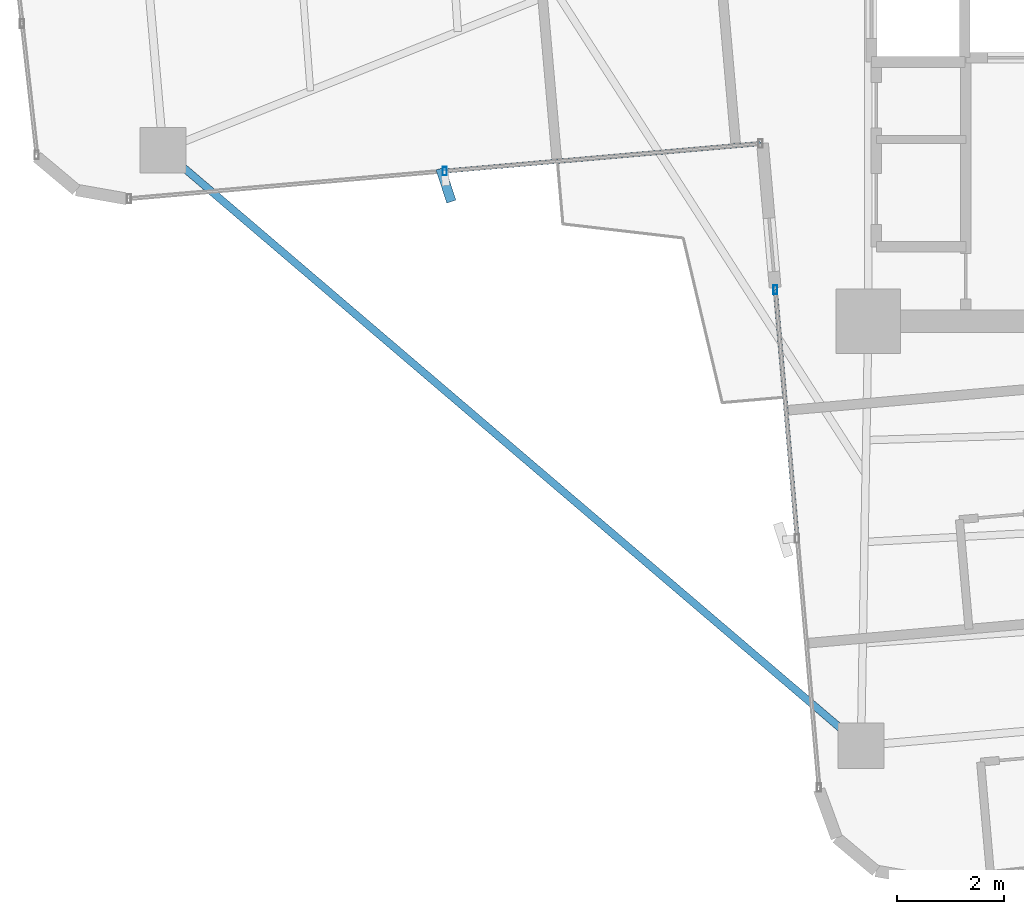
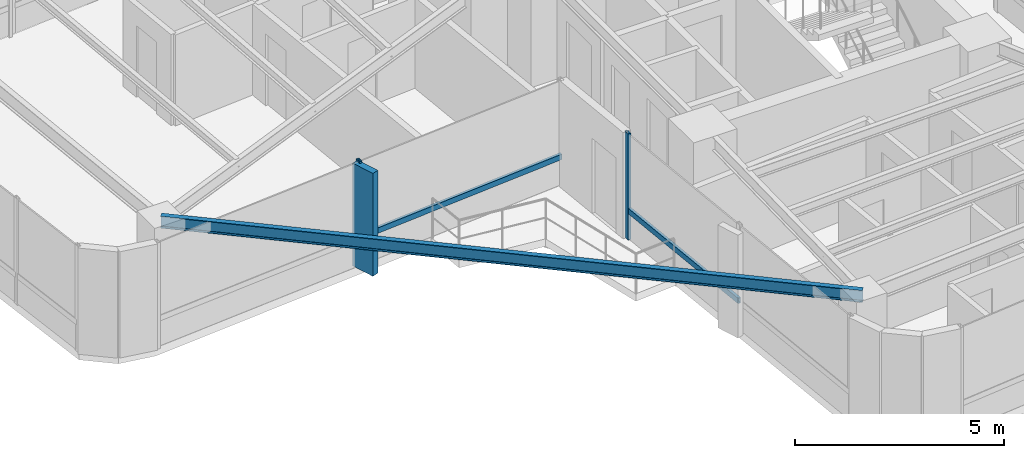
# One storey, part 4 of 24: 5 members, 1 beam, 2 elements without a shape of their own.
"""IFC4 building model written with IfcOpenShell, lengths in metres."""

from ifc_helpers import new_model, si_unit, direction, frame, origin, origin_2d, place, context, subcontext, project, spatial, rectangle, hollow_rectangle, i_section, extrude, source, transform, mapped, material, material_profile, profile_set, type_object, element, aggregate, save


model = new_model("IFC4")

# Units and contexts
model_context = context("Model", 3, precision=1e-05, world=origin(), true_north=direction((0.0, 1.0)))
body_context = subcontext(model_context, "Body", "Model", "MODEL_VIEW")
ifc_project = project(units=[si_unit("LENGTHUNIT", "METRE"), si_unit("AREAUNIT", "SQUARE_METRE"), si_unit("VOLUMEUNIT", "CUBIC_METRE"), si_unit("PLANEANGLEUNIT", "RADIAN"), si_unit("MASSUNIT", "GRAM", prefix="KILO")], contexts=[model_context])

# Site, building, storey
site_placement = place(None, origin())
site = spatial("IfcSite", under=ifc_project, at=site_placement, CompositionType="ELEMENT")
building_placement = place(site_placement, origin())
building = spatial("IfcBuilding", under=site, at=building_placement, Name="Sahyath Konkavel Grand Hotel", CompositionType="ELEMENT")
storey_placement = place(building_placement, frame((0.0, 0.0, 181.89990234375)))
storey = spatial("IfcBuildingStorey", under=building, at=storey_placement, Name="L50", CompositionType="ELEMENT", Elevation=181.89990234375)

# Beam
ifc_material_1 = material(Name="Steel E350", Category="steel")
ifc_material_profile_1 = material_profile(ifc_material_1, i_section(OverallWidth=0.139892578125, OverallDepth=0.35009765625, WebThickness=0.008056640625, FlangeThickness=0.01416015625, FilletRadius=0.013916015625, at=origin_2d()), Name="ISMB 350")
ifc_profile_set_1 = profile_set([ifc_material_profile_1], Name="Steel E350")
beam_type = type_object("IfcBeamType", Name="BM-ISMB350", PredefinedType="BEAM", material=ifc_profile_set_1)
shared_shape_1 = source(origin(), body_context, "Body", "SweptSolid", [
    extrude(i_section(OverallWidth=0.139892578125, OverallDepth=0.35009765625, WebThickness=0.008056640625, FlangeThickness=0.01416015625, FilletRadius=0.013916015625, at=origin_2d()), origin(), (0.0, 0.0, 1.0), 17.11279296875),
])
beam_placement = place(storey_placement, frame((-16.9541015625, -7.00439453125, 2.93505859375), z_axis=(0.760711911164, -0.649089661151, 0.0), x_axis=(0.649089661151, 0.760711911164, 0.0)))
element("IfcBeam", 1, at=beam_placement, inside=storey, type_object=beam_type, Name="L50 Re-Entrant Tie Beam SW", PredefinedType="BEAM", context=body_context, shape_type="MappedRepresentation", body=[
    mapped(shared_shape_1, transform((0.0, 0.0, 0.0), scale=1.0)),
])

# Curtain wall, members
ifc_material_2 = material(Name="Anodised Bronze Aluminium & Low-E Glazing", Category="aluminium")
curtain_wall_type = type_object("IfcCurtainWallType", Name="CW-ZONE3", PredefinedType="NOTDEFINED", material=ifc_material_2)
curtain_wall_1_placement = place(storey_placement, origin())
curtain_wall_1 = element("IfcCurtainWall", 2, at=curtain_wall_1_placement, inside=storey, type_object=curtain_wall_type, Name="L50 Unitised Curtain Wall F23", PredefinedType="NOTDEFINED")
ifc_material_3 = material(Name="Warm Buff Sandstone Cladding on Concrete C50/60", Category="masonry")
ifc_material_profile_2 = material_profile(ifc_material_3, rectangle(XDim=0.179931640625, YDim=0.64990234375, at=origin_2d()), Name="FIN 180x650")
ifc_profile_set_2 = profile_set([ifc_material_profile_2], Name="Warm Buff Sandstone Cladding on Concrete C50/60")
member_type_1 = type_object("IfcMemberType", Name="FIN-SANDSTONE-650", PredefinedType="MULLION", material=ifc_profile_set_2)
shared_shape_2 = source(origin(), body_context, "Body", "SweptSolid", [
    extrude(rectangle(XDim=0.179931640625, YDim=0.64990234375, at=origin_2d()), origin(), (0.0, 0.0, 1.0), 3.010009765625),
])
member_1_placement = place(storey_placement, frame((-11.677001953125, -7.656982421875, 0.050048828125), z_axis=(0.0, 0.0, 1.0), x_axis=(0.951379596601, 0.308020881065, 0.0)))
member_1 = element("IfcMember", 3, at=member_1_placement, type_object=member_type_1, Name="L50 Sandstone Vertical Solar Fin FIN F23-1", PredefinedType="MULLION", context=body_context, shape_type="MappedRepresentation", body=[
    mapped(shared_shape_2, transform((0.0, 0.0, 0.0), scale=1.0)),
])
ifc_material_4 = material(Name="Anodised Bronze Aluminium", Category="aluminium")
ifc_material_profile_3 = material_profile(ifc_material_4, hollow_rectangle(XDim=0.080078125, YDim=0.159912109375, WallThickness=0.006103515625, at=origin_2d()), Name="RHS 160x80x6")
ifc_profile_set_3 = profile_set([ifc_material_profile_3], Name="Anodised Bronze Aluminium")
member_type_2 = type_object("IfcMemberType", Name="CW-MUL-160", PredefinedType="MULLION", material=ifc_profile_set_3)
shared_shape_3 = source(origin(), body_context, "Body", "SweptSolid", [
    extrude(hollow_rectangle(XDim=0.080078125, YDim=0.159912109375, WallThickness=0.006103515625, at=origin_2d()), origin(), (0.0, 0.0, 1.0), 3.110107421875),
])
member_2_placement = place(storey_placement, frame((-11.69970703125, -7.39794921875, 0.0), z_axis=(0.0, 0.0, 1.0), x_axis=(1.0, 0.0, 0.0)))
member_2 = element("IfcMember", 4, at=member_2_placement, type_object=member_type_2, Name="L50 Curtain Wall Mullion F23-1", PredefinedType="MULLION", context=body_context, shape_type="MappedRepresentation", body=[
    mapped(shared_shape_3, transform((0.0, 0.0, 0.0), scale=1.0)),
])

# Curtain wall, member
curtain_wall_2_placement = place(storey_placement, origin())
curtain_wall_2 = element("IfcCurtainWall", 5, at=curtain_wall_2_placement, inside=storey, type_object=curtain_wall_type, Name="L50 Unitised Curtain Wall F24", PredefinedType="NOTDEFINED")
member_3_placement = place(storey_placement, frame((-5.53369140625, -9.60888671875, 0.0), z_axis=(0.0, 0.0, 1.0), x_axis=(1.0, 0.0, 0.0)))
member_3 = element("IfcMember", 6, at=member_3_placement, type_object=member_type_2, Name="L50 Curtain Wall Mullion F24-0", PredefinedType="MULLION", context=body_context, shape_type="MappedRepresentation", body=[
    mapped(shared_shape_3, transform((0.0, 0.0, 0.0), scale=1.0)),
])

# Member
ifc_material_profile_4 = material_profile(ifc_material_4, hollow_rectangle(XDim=0.080078125, YDim=0.159912109375, WallThickness=0.006103515625, at=origin_2d()), Name="RHS 160x80x6")
ifc_profile_set_4 = profile_set([ifc_material_profile_4], Name="Anodised Bronze Aluminium")
member_type_3 = type_object("IfcMemberType", Name="CW-TRN-160", PredefinedType="USERDEFINED", material=ifc_profile_set_4)
shared_shape_4 = source(origin(), body_context, "Body", "SweptSolid", [
    extrude(hollow_rectangle(XDim=0.080078125, YDim=0.159912109375, WallThickness=0.006103515625, at=origin_2d()), origin(), (0.0, 0.0, 1.0), 5.909912109375),
])
member_4_placement = place(storey_placement, frame((-11.69970703125, -7.39794921875, 0.85009765625), z_axis=(0.996193941691, 0.087164388014, 0.0), x_axis=(-0.087164388014, 0.996193941691, 0.0)))
member_4 = element("IfcMember", 7, at=member_4_placement, type_object=member_type_3, Name="L50 Curtain Wall Transom F23-1-spandrel", ObjectType="TRANSOM", PredefinedType="USERDEFINED", context=body_context, shape_type="MappedRepresentation", body=[
    mapped(shared_shape_4, transform((0.0, 0.0, 0.0), scale=1.0)),
])

aggregate(curtain_wall_1, [member_2, member_1, member_4])

shared_shape_5 = source(origin(), body_context, "Body", "SweptSolid", [
    extrude(hollow_rectangle(XDim=0.080078125, YDim=0.159912109375, WallThickness=0.006103515625, at=origin_2d()), origin(), (0.0, 0.0, 1.0), 4.66015625),
])
member_5_placement = place(storey_placement, frame((-5.53369140625, -9.60888671875, 0.85009765625), z_axis=(0.087176698736, -0.996192864458, 0.0), x_axis=(0.996192864458, 0.087176698736, 0.0)))
member_5 = element("IfcMember", 8, at=member_5_placement, type_object=member_type_3, Name="L50 Curtain Wall Transom F24-0-spandrel", ObjectType="TRANSOM", PredefinedType="USERDEFINED", context=body_context, shape_type="MappedRepresentation", body=[
    mapped(shared_shape_5, transform((0.0, 0.0, 0.0), scale=1.0)),
])

aggregate(curtain_wall_2, [member_3, member_5])

save(model, "model.ifc")
